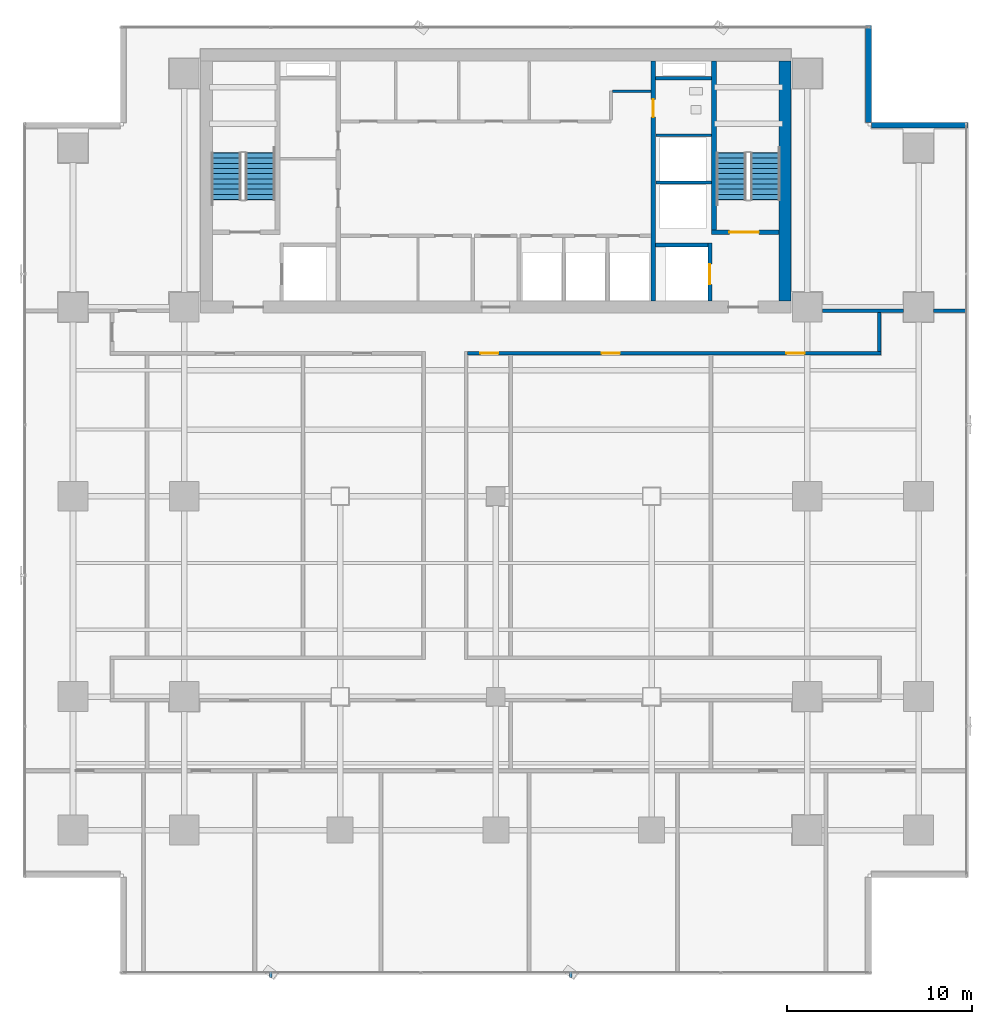
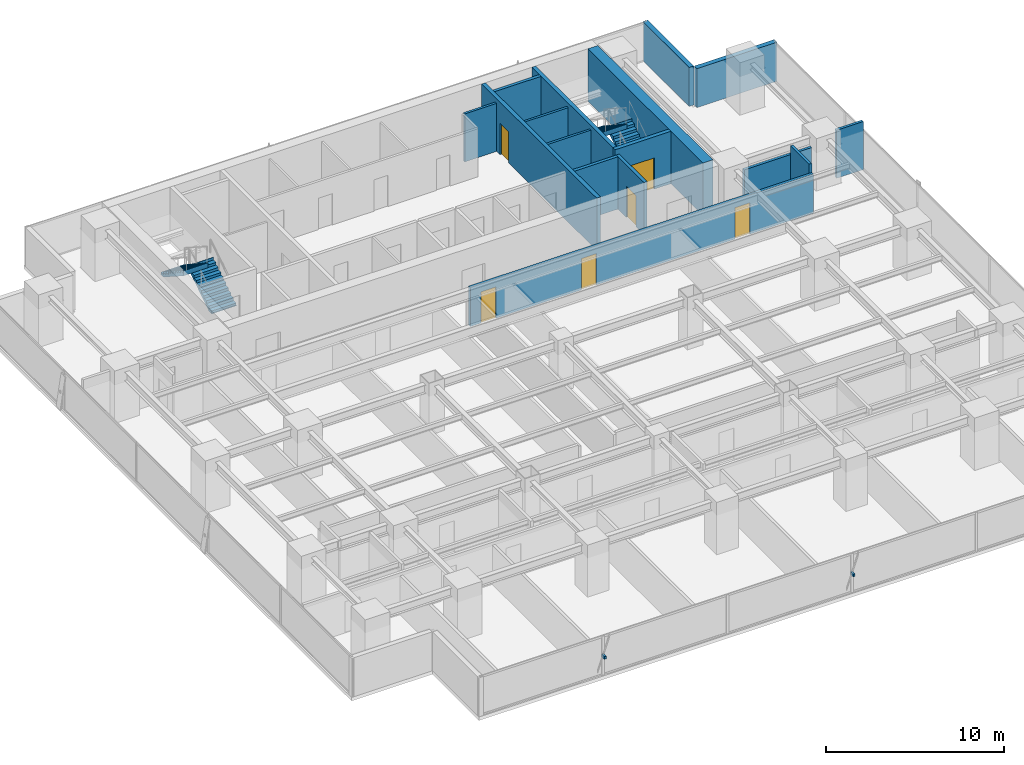
# One storey, part 30 of 36: 16 walls, 6 doors, 4 stair flights, 2 discrete accessories, 6 openings, 2 elements without a shape of their own.
"""IFC4 building model written with IfcOpenShell, lengths in metres."""

import ifcopenshell
import ifcopenshell.guid

model = None  # the IFC model being written
_history = None  # IfcOwnerHistory: only IFC2X3 demands one
_inside = {}  # id of a spatial element -> (the spatial element, [elements in it])
_under = {}  # id of a project, library or spatial element -> (it, [spatial elements below it])
_declared = {}  # id of a project -> (the project, [libraries it declares])
_typed = {}  # id of a type object -> (the type object, [elements of that type])
_made_of = {}  # id of a material, layer set ... -> (it, [elements and type objects made of it])


def new_model(schema):
    """Start an empty IFC model of exactly this schema.

    Asked for "IFC4X3", IfcOpenShell would pick the latest addendum, in which some entities
    have other attributes; the version numbers below select the first issue.
    IFC2X3 requires an IfcOwnerHistory on every rooted entity: one is made here for all.
    """
    global model, _history
    if schema == "IFC4X3":
        model = ifcopenshell.file(schema_version=(4, 3, 0, 0))
    else:
        model = ifcopenshell.file(schema=schema)
    _inside.clear()
    _under.clear()
    _declared.clear()
    _typed.clear()
    _made_of.clear()
    _history = None
    if model.schema == "IFC2X3":
        org = make("IfcOrganization", Name="unknown")
        user = make(
            "IfcPersonAndOrganization",
            ThePerson=make("IfcPerson", FamilyName="unknown"),
            TheOrganization=org,
        )
        app = make(
            "IfcApplication",
            ApplicationDeveloper=org,
            Version="unknown",
            ApplicationFullName="unknown",
            ApplicationIdentifier="unknown",
        )
        _history = make(
            "IfcOwnerHistory",
            OwningUser=user,
            OwningApplication=app,
            ChangeAction="ADDED",
            CreationDate=0,
        )
    return model


def make(cls, **values):
    """One entity of the class cls with the attributes given. An attribute that is None is left unset."""
    return model.create_entity(
        cls, **{name: value for name, value in values.items() if value is not None}
    )


def rooted(cls, **values):
    """An entity with a GlobalId (a new one), such as an element, a storey or a relation."""
    return make(cls, GlobalId=ifcopenshell.guid.new(), OwnerHistory=_history, **values)


def si_unit(unit_type, name, prefix=None):
    """IfcSIUnit, for example si_unit("LENGTHUNIT", "METRE", prefix="MILLI")."""
    return make("IfcSIUnit", UnitType=unit_type, Prefix=prefix, Name=name)


def assignment(units):
    """IfcUnitAssignment: the units of a project."""
    return None if units is None else make("IfcUnitAssignment", Units=units)


def point(xyz):
    """IfcCartesianPoint."""
    return None if xyz is None else make("IfcCartesianPoint", Coordinates=xyz)


def direction(xyz):
    """IfcDirection."""
    return None if xyz is None else make("IfcDirection", DirectionRatios=xyz)


def frame(location, z_axis=None, x_axis=None):
    """IfcAxis2Placement3D, a coordinate frame: its origin and axes. An axis left out is left unset."""
    return make(
        "IfcAxis2Placement3D",
        Location=point(location),
        Axis=direction(z_axis),
        RefDirection=direction(x_axis),
    )


def frame_2d(location, x_axis=None):
    """IfcAxis2Placement2D, a coordinate frame in the plane: its origin and x axis."""
    return make(
        "IfcAxis2Placement2D", Location=point(location), RefDirection=direction(x_axis)
    )


def origin():
    """The frame at (0, 0, 0) with its axes left unset."""
    return frame((0.0, 0.0, 0.0))


def origin_2d():
    """The frame at (0, 0) in the plane with its x axis left unset."""
    return frame_2d((0.0, 0.0))


def place(relative_to, where):
    """IfcLocalPlacement: puts the frame where relative to a parent placement (None: the world)."""
    return make(
        "IfcLocalPlacement", PlacementRelTo=relative_to, RelativePlacement=where
    )


def context(
    kind, dimensions, precision=None, world=None, true_north=None, identifier=None
):
    """IfcGeometricRepresentationContext, for example the 3D "Model" context."""
    return make(
        "IfcGeometricRepresentationContext",
        ContextIdentifier=identifier,
        ContextType=kind,
        CoordinateSpaceDimension=dimensions,
        Precision=precision,
        WorldCoordinateSystem=world,
        TrueNorth=true_north,
    )


def subcontext(parent, identifier, kind, view, scale=None):
    """IfcGeometricRepresentationSubContext, for example "Body" below "Model"."""
    return make(
        "IfcGeometricRepresentationSubContext",
        ContextIdentifier=identifier,
        ContextType=kind,
        ParentContext=parent,
        TargetScale=scale,
        TargetView=view,
    )


def project(units=None, contexts=None):
    """IfcProject with its units and contexts."""
    return rooted(
        "IfcProject",
        Name="project",
        RepresentationContexts=contexts,
        UnitsInContext=assignment(units),
    )


def spatial(cls, under=None, at=None, **own):
    """A site, building, storey or space (cls), placed at a placement, below another one or the project."""
    s = rooted(cls, ObjectPlacement=at, **own)
    if under is not None:
        _under.setdefault(under.id(), (under, []))[1].append(s)
    return s


def polyline(points):
    """IfcPolyline through the points."""
    return make("IfcPolyline", Points=[point(p) for p in points])


def profile(cls, at=None, kind="AREA", **sizes):
    """A parametric profile (cls). Its sizes go by their IFC names, for example OverallWidth=200.0."""
    return make(cls, ProfileType=kind, Position=at, **sizes)


def rectangle(**sizes):
    """IfcRectangleProfileDef."""
    return profile("IfcRectangleProfileDef", **sizes)


def outline(outer, holes=None, kind="AREA"):
    """IfcArbitraryClosedProfileDef: a profile drawn as a closed curve; with holes, ...WithVoids."""
    if holes is None:
        return make("IfcArbitraryClosedProfileDef", ProfileType=kind, OuterCurve=outer)
    return make(
        "IfcArbitraryProfileDefWithVoids",
        ProfileType=kind,
        OuterCurve=outer,
        InnerCurves=holes,
    )


def extrude(swept, where, along, depth):
    """IfcExtrudedAreaSolid: the profile swept, set in the frame where, extruded along a direction by depth."""
    return make(
        "IfcExtrudedAreaSolid",
        SweptArea=swept,
        Position=where,
        ExtrudedDirection=direction(along),
        Depth=depth,
    )


def shape(context_of_items, identifier, shape_type, items):
    """IfcShapeRepresentation: the items that make up one representation, for example the "Body"."""
    return make(
        "IfcShapeRepresentation",
        ContextOfItems=context_of_items,
        RepresentationIdentifier=identifier,
        RepresentationType=shape_type,
        Items=items,
    )


def source(mapping_origin, context_of_items, identifier, shape_type, items):
    """IfcRepresentationMap: a shape defined once, which mapped items show again and again."""
    return make(
        "IfcRepresentationMap",
        MappingOrigin=mapping_origin,
        MappedRepresentation=shape(context_of_items, identifier, shape_type, items),
    )


def transform(
    local_origin,
    x_axis=None,
    y_axis=None,
    z_axis=None,
    scale=None,
    scale2=None,
    scale3=None,
    uniform=True,
):
    """IfcCartesianTransformationOperator3D, or its non-uniform kind. x_axis, y_axis, z_axis: its Axis1, 2, 3."""
    if uniform:
        return make(
            "IfcCartesianTransformationOperator3D",
            Axis1=direction(x_axis),
            Axis2=direction(y_axis),
            LocalOrigin=point(local_origin),
            Scale=scale,
            Axis3=direction(z_axis),
        )
    return make(
        "IfcCartesianTransformationOperator3DnonUniform",
        Axis1=direction(x_axis),
        Axis2=direction(y_axis),
        LocalOrigin=point(local_origin),
        Scale=scale,
        Axis3=direction(z_axis),
        Scale2=scale2,
        Scale3=scale3,
    )


def mapped(mapping_source, mapping_target):
    """IfcMappedItem: shows the shape of a source again, moved by a transform."""
    return make(
        "IfcMappedItem", MappingSource=mapping_source, MappingTarget=mapping_target
    )


def material(Name=None, Category=None):
    """IfcMaterial."""
    return make("IfcMaterial", Name=Name, Category=Category)


def layer(
    of_material, thickness, ventilated=None, Name=None, Category=None, Priority=None
):
    """IfcMaterialLayer: one layer of a wall or slab, of a material (None: an air gap)."""
    return make(
        "IfcMaterialLayer",
        Material=of_material,
        LayerThickness=thickness,
        IsVentilated=ventilated,
        Name=Name,
        Category=Category,
        Priority=Priority,
    )


def layer_set(layers, Name=None):
    """IfcMaterialLayerSet."""
    return make("IfcMaterialLayerSet", MaterialLayers=layers, LayerSetName=Name)


def material_profile(
    of_material, cross_section, Name=None, Category=None, Priority=None
):
    """IfcMaterialProfile: a cross section and its material."""
    return make(
        "IfcMaterialProfile",
        Name=Name,
        Material=of_material,
        Profile=cross_section,
        Priority=Priority,
        Category=Category,
    )


def profile_set(profiles, Name=None, composite=None):
    """IfcMaterialProfileSet."""
    return make(
        "IfcMaterialProfileSet",
        Name=Name,
        MaterialProfiles=profiles,
        CompositeProfile=composite,
    )


def made_of(thing, what):
    """Note that an element or type object is made of a material, layer set ...; save() writes the relation."""
    if what is not None:
        _made_of.setdefault(what.id(), (what, []))[1].append(thing)
    return thing


def type_object(cls, material=None, **own):
    """A type object (cls), such as IfcWallType, which elements share."""
    return made_of(rooted(cls, **own), material)


def element(
    cls,
    number,
    at=None,
    inside=None,
    cuts=None,
    type_object=None,
    material=None,
    context=None,
    identifier="Body",
    shape_type=None,
    held_by="IfcProductDefinitionShape",
    body=None,
    shapes=None,
    **own,
):
    """One element of the class cls, such as IfcWall. Its Tag is "e" and its number.

    at: its placement. inside: the storey or other place that contains it. cuts: it is an
    opening in that element (IfcRelVoidsElement). A single representation is given by context,
    identifier, shape_type and body (its items); several are given by shapes. held_by: the class
    of the entity that holds the representations. save() writes the other relations.
    """
    e = rooted(cls, Tag="e%d" % number, ObjectPlacement=at, **own)
    if body is not None:
        shapes = [shape(context, identifier, shape_type, body)]
    if shapes is not None:
        e.Representation = make(held_by, Representations=shapes)
    if inside is not None:
        _inside.setdefault(inside.id(), (inside, []))[1].append(e)
    if cuts is not None:
        rooted(
            "IfcRelVoidsElement", RelatingBuildingElement=cuts, RelatedOpeningElement=e
        )
    if type_object is not None:
        _typed.setdefault(type_object.id(), (type_object, []))[1].append(e)
    return made_of(e, material)


def fill(opening, filler):
    """IfcRelFillsElement: the door or window that sits in an opening."""
    return rooted(
        "IfcRelFillsElement",
        RelatingOpeningElement=opening,
        RelatedBuildingElement=filler,
    )


def aggregate(whole, parts):
    """IfcRelAggregates: a whole, such as a stair, and the parts it consists of."""
    return rooted("IfcRelAggregates", RelatingObject=whole, RelatedObjects=parts)


def save(model, path):
    """Write the relations noted so far, then the file.

    IfcRelAggregates (storeys below a building ...), IfcRelContainedInSpatialStructure (elements
    in a storey), IfcRelDefinesByType, IfcRelAssociatesMaterial and IfcRelDeclares: one each for
    every whole, place, type object, material and project.
    """
    for whole, parts in _under.values():
        aggregate(whole, parts)
    for where, things in _inside.values():
        rooted(
            "IfcRelContainedInSpatialStructure",
            RelatedElements=things,
            RelatingStructure=where,
        )
    for kind, things in _typed.values():
        rooted("IfcRelDefinesByType", RelatedObjects=things, RelatingType=kind)
    for what, things in _made_of.values():
        rooted("IfcRelAssociatesMaterial", RelatedObjects=things, RelatingMaterial=what)
    for by, libraries in _declared.values():
        rooted("IfcRelDeclares", RelatingContext=by, RelatedDefinitions=libraries)
    model.write(path)


model = new_model("IFC4")

# Units and contexts
model_context = context("Model", 3, precision=1e-05, world=origin(), true_north=direction((0.0, 1.0)))
body_context = subcontext(model_context, "Body", "Model", "MODEL_VIEW")
ifc_project = project(units=[si_unit("LENGTHUNIT", "METRE"), si_unit("AREAUNIT", "SQUARE_METRE"), si_unit("VOLUMEUNIT", "CUBIC_METRE"), si_unit("PLANEANGLEUNIT", "RADIAN"), si_unit("MASSUNIT", "GRAM", prefix="KILO")], contexts=[model_context])

# Site, building, storey
site_placement = place(None, origin())
site = spatial("IfcSite", under=ifc_project, at=site_placement, CompositionType="ELEMENT")
building_placement = place(site_placement, origin())
building = spatial("IfcBuilding", under=site, at=building_placement, Name="Sumidabori Civic Tower", CompositionType="ELEMENT")
storey_placement = place(building_placement, frame((0.0, 0.0, 120.800048828125)))
storey = spatial("IfcBuildingStorey", under=building, at=storey_placement, Name="L31", CompositionType="ELEMENT", Elevation=120.800048828125)

# Walls
ifc_material_1 = material(Name="Concrete C50/60", Category="concrete")
ifc_layer_1 = layer(ifc_material_1, 0.199951171875, Name="Concrete C50/60")
ifc_layer_set_1 = layer_set([ifc_layer_1], Name="Concrete C50/60")
wall_type_1 = type_object("IfcWallType", Name="WL-SHAFT-200", PredefinedType="SHEAR", material=ifc_layer_set_1)
shared_shape_1 = source(origin(), body_context, "Body", "SweptSolid", [
    extrude(rectangle(XDim=2.824951171875, YDim=0.199951171875, at=frame_2d((1.41259765625, 0.0))), origin(), (0.0, 0.0, 1.0), 3.599853515625),
])
wall_1_placement = place(storey_placement, frame((8.625, 13.550048828125, 0.0), z_axis=(0.0, 0.0, 1.0), x_axis=(1.0, 0.0, 0.0)))
element("IfcWall", 1, at=wall_1_placement, inside=storey, type_object=wall_type_1, Name="Core Shear Wall L31 EL2-N", PredefinedType="SHEAR", context=body_context, shape_type="MappedRepresentation", body=[
    mapped(shared_shape_1, transform((0.0, 0.0, 0.0), x_axis=(1.0, 0.0, 0.0), y_axis=(0.0, 1.0, 0.0), z_axis=(0.0, 0.0, 1.0), scale=1.0)),
])
shared_shape_2 = source(origin(), body_context, "Body", "SweptSolid", [
    extrude(rectangle(XDim=3.02001953125, YDim=0.199951171875, at=frame_2d((1.510009765625, 0.0))), origin(), (0.0, 0.0, 1.0), 3.599853515625),
])
wall_2_placement = place(storey_placement, frame((8.625, 22.550048828125, 0.0), z_axis=(0.0, 0.0, 1.0), x_axis=(1.0, 0.0, 0.0)))
element("IfcWall", 2, at=wall_2_placement, inside=storey, type_object=wall_type_1, Name="Core Shear Wall L31 RIS2-S", PredefinedType="SHEAR", context=body_context, shape_type="MappedRepresentation", body=[
    mapped(shared_shape_2, transform((0.0, 0.0, 0.0), x_axis=(1.0, 0.0, 0.0), y_axis=(0.0, 1.0, 0.0), z_axis=(0.0, 0.0, 1.0), scale=1.0)),
])
ifc_material_2 = material(Name="Concrete C60/75", Category="concrete")
ifc_layer_2 = layer(ifc_material_2, 0.64990234375, Name="Concrete C60/75")
ifc_layer_set_2 = layer_set([ifc_layer_2], Name="Concrete C60/75")
wall_type_2 = type_object("IfcWallType", Name="WL-CORE-650", PredefinedType="SHEAR", material=ifc_layer_set_2)
shared_shape_3 = source(origin(), body_context, "Body", "SweptSolid", [
    extrude(rectangle(XDim=12.9501953125, YDim=0.64990234375, at=frame_2d((6.47509765625, 0.0))), origin(), (0.0, 0.0, 1.0), 3.599853515625),
])
wall_3_placement = place(storey_placement, frame((15.60009765625, 10.52490234375, 0.0), z_axis=(0.0, 0.0, 1.0), x_axis=(0.0, 1.0, 0.0)))
element("IfcWall", 3, at=wall_3_placement, inside=storey, type_object=wall_type_2, Name="Core Shear Wall L31 E", PredefinedType="SHEAR", context=body_context, shape_type="MappedRepresentation", body=[
    mapped(shared_shape_3, transform((0.0, 0.0, 0.0), x_axis=(1.0, 0.0, 0.0), y_axis=(0.0, 1.0, 0.0), z_axis=(0.0, 0.0, 1.0), scale=1.0)),
])

# Wall, opening, door
ifc_layer_3 = layer(ifc_material_1, 0.25, Name="Concrete C50/60")
ifc_layer_set_3 = layer_set([ifc_layer_3], Name="Concrete C50/60")
wall_type_3 = type_object("IfcWallType", Name="WL-SHAFT-250", PredefinedType="SHEAR", material=ifc_layer_set_3)
shared_shape_4 = source(origin(), body_context, "Body", "SweptSolid", [
    extrude(rectangle(XDim=12.9501953125, YDim=0.25, at=frame_2d((6.47509765625, 0.0))), origin(), (0.0, 0.0, 1.0), 3.599853515625),
])
wall_4_placement = place(storey_placement, frame((8.5, 10.52490234375, 0.0), z_axis=(0.0, 0.0, 1.0), x_axis=(0.0, 1.0, 0.0)))
wall_4 = element("IfcWall", 4, at=wall_4_placement, inside=storey, type_object=wall_type_3, Name="Core Shear Wall L31 WEB-E", PredefinedType="SHEAR", context=body_context, shape_type="MappedRepresentation", body=[
    mapped(shared_shape_4, transform((0.0, 0.0, 0.0), x_axis=(1.0, 0.0, 0.0), y_axis=(0.0, 1.0, 0.0), z_axis=(0.0, 0.0, 1.0), scale=1.0)),
])
opening_1_placement = place(wall_4_placement, frame((9.925048828125, 0.0, 0.0)))
opening_1 = element("IfcOpeningElement", 5, at=opening_1_placement, cuts=wall_4, Name="Opening DR-2", PredefinedType="OPENING", context=body_context, shape_type="SweptSolid", body=[
    extrude(rectangle(XDim=0.949951171875, YDim=2.14990234375, at=frame_2d((0.47509765625, 1.074951171875))), frame((0.0, 0.136962890625, 0.0), z_axis=(0.0, -1.0, 0.0), x_axis=(1.0, 0.0, 0.0)), (0.0, 0.0, 1.0), 0.27392578125),
])
ifc_material_3 = material(Name="Japanese Hinoki Timber", Category="wood")
door_type_1 = type_object("IfcDoorType", Name="DR-INT-950", OperationType="NOTDEFINED", PredefinedType="DOOR", material=ifc_material_3)
shared_shape_5 = source(origin(), body_context, "Body", "SweptSolid", [
    extrude(rectangle(XDim=0.949951171875, YDim=2.14990234375, at=frame_2d((0.47509765625, 1.074951171875))), frame((0.0, 0.02490234375, 0.0), z_axis=(0.0, -1.0, 0.0), x_axis=(1.0, 0.0, 0.0)), (0.0, 0.0, 1.0), 0.050048828125),
])
door_1_placement = place(opening_1_placement, origin())
door_1 = element("IfcDoor", 6, at=door_1_placement, inside=storey, type_object=door_type_1, Name="Door DR:L31:WC-ACC", OperationType="SINGLE_SWING_RIGHT", OverallHeight=2.14990234375, OverallWidth=0.949951171875, PredefinedType="DOOR", context=body_context, shape_type="MappedRepresentation", body=[
    mapped(shared_shape_5, transform((0.0, 0.0, 0.0), x_axis=(1.0, 0.0, 0.0), y_axis=(0.0, 1.0, 0.0), z_axis=(0.0, 0.0, 1.0), scale=1.0)),
])
fill(opening_1, door_1)

shared_shape_6 = source(origin(), body_context, "Body", "SweptSolid", [
    extrude(rectangle(XDim=3.6298828125, YDim=0.25, at=frame_2d((1.81494140625, 0.0))), origin(), (0.0, 0.0, 1.0), 3.599853515625),
])
wall_5_placement = place(storey_placement, frame((11.64501953125, 14.25, 0.0), z_axis=(0.0, 0.0, 1.0), x_axis=(1.0, 0.0, 0.0)))
wall_5 = element("IfcWall", 7, at=wall_5_placement, inside=storey, type_object=wall_type_3, Name="Core Shear Wall L31 ST2-S", PredefinedType="SHEAR", context=body_context, shape_type="MappedRepresentation", body=[
    mapped(shared_shape_6, transform((0.0, 0.0, 0.0), x_axis=(1.0, 0.0, 0.0), y_axis=(0.0, 1.0, 0.0), z_axis=(0.0, 0.0, 1.0), scale=1.0)),
])
opening_2_placement = place(wall_5_placement, frame((0.949951171875, 0.0, 0.0)))
opening_2 = element("IfcOpeningElement", 8, at=opening_2_placement, cuts=wall_5, Name="Opening DR-FD4", PredefinedType="OPENING", context=body_context, shape_type="SweptSolid", body=[
    extrude(rectangle(XDim=1.60009765625, YDim=2.14990234375, at=frame_2d((0.800048828125, 1.074951171875))), frame((0.0, 0.136962890625, 0.0), z_axis=(0.0, -1.0, 0.0), x_axis=(1.0, 0.0, 0.0)), (0.0, 0.0, 1.0), 0.27392578125),
])
ifc_material_4 = material(Name="Steel SN490", Category="steel")
door_type_2 = type_object("IfcDoorType", Name="DR-FD4", OperationType="DOUBLE_DOOR_SINGLE_SWING", PredefinedType="DOOR", material=ifc_material_4)
shared_shape_7 = source(origin(), body_context, "Body", "SweptSolid", [
    extrude(rectangle(XDim=1.60009765625, YDim=2.14990234375, at=frame_2d((0.800048828125, 1.074951171875))), frame((0.0, 0.02490234375, 0.0), z_axis=(0.0, -1.0, 0.0), x_axis=(1.0, 0.0, 0.0)), (0.0, 0.0, 1.0), 0.050048828125),
])
door_2_placement = place(opening_2_placement, origin())
door_2 = element("IfcDoor", 9, at=door_2_placement, inside=storey, type_object=door_type_2, Name="Door DR:L31:ST2", OperationType="DOUBLE_DOOR_SINGLE_SWING", OverallHeight=2.14990234375, OverallWidth=1.60009765625, PredefinedType="DOOR", context=body_context, shape_type="MappedRepresentation", body=[
    mapped(shared_shape_7, transform((0.0, 0.0, 0.0), x_axis=(1.0, 0.0, 0.0), y_axis=(0.0, 1.0, 0.0), z_axis=(0.0, 0.0, 1.0), scale=1.0)),
])
fill(opening_2, door_2)

# Wall
shared_shape_8 = source(origin(), body_context, "Body", "SweptSolid", [
    extrude(rectangle(XDim=9.10009765625, YDim=0.25, at=frame_2d((4.550048828125, 0.0))), origin(), (0.0, 0.0, 1.0), 3.599853515625),
])
wall_6_placement = place(storey_placement, frame((11.77001953125, 14.375, 0.0), z_axis=(0.0, 0.0, 1.0), x_axis=(0.0, 1.0, 0.0)))
element("IfcWall", 10, at=wall_6_placement, inside=storey, type_object=wall_type_3, Name="Core Shear Wall L31 ST2-W", PredefinedType="SHEAR", context=body_context, shape_type="MappedRepresentation", body=[
    mapped(shared_shape_8, transform((0.0, 0.0, 0.0), x_axis=(1.0, 0.0, 0.0), y_axis=(0.0, 1.0, 0.0), z_axis=(0.0, 0.0, 1.0), scale=1.0)),
])

# Wall, opening, door
shared_shape_9 = source(origin(), body_context, "Body", "SweptSolid", [
    extrude(rectangle(XDim=3.125, YDim=0.199951171875, at=frame_2d((1.5625, 0.0))), origin(), (0.0, 0.0, 1.0), 3.599853515625),
])
wall_7_placement = place(storey_placement, frame((11.550048828125, 10.52490234375, 0.0), z_axis=(0.0, 0.0, 1.0), x_axis=(0.0, 1.0, 0.0)))
wall_7 = element("IfcWall", 11, at=wall_7_placement, inside=storey, type_object=wall_type_1, Name="Core Shear Wall L31 EL2-E", PredefinedType="SHEAR", context=body_context, shape_type="MappedRepresentation", body=[
    mapped(shared_shape_9, transform((0.0, 0.0, 0.0), x_axis=(1.0, 0.0, 0.0), y_axis=(0.0, 1.0, 0.0), z_axis=(0.0, 0.0, 1.0), scale=1.0)),
])
opening_3_placement = place(wall_7_placement, frame((0.89990234375, 0.0, 0.0)))
opening_3 = element("IfcOpeningElement", 12, at=opening_3_placement, cuts=wall_7, Name="Opening LD-2", PredefinedType="OPENING", context=body_context, shape_type="SweptSolid", body=[
    extrude(rectangle(XDim=1.10009765625, YDim=2.14990234375, at=frame_2d((0.550048828125, 1.074951171875))), frame((0.0, 0.11181640625, 0.0), z_axis=(0.0, -1.0, 0.0), x_axis=(1.0, 0.0, 0.0)), (0.0, 0.0, 1.0), 0.223876953125),
])
ifc_material_5 = material(Name="Stainless Steel Hairline Finish", Category="steel")
door_type_3 = type_object("IfcDoorType", Name="DR-LD2", OperationType="DOUBLE_DOOR_SLIDING", PredefinedType="DOOR", material=ifc_material_5)
shared_shape_10 = source(origin(), body_context, "Body", "SweptSolid", [
    extrude(rectangle(XDim=1.10009765625, YDim=2.14990234375, at=frame_2d((0.550048828125, 1.074951171875))), frame((0.0, 0.02490234375, 0.0), z_axis=(0.0, -1.0, 0.0), x_axis=(1.0, 0.0, 0.0)), (0.0, 0.0, 1.0), 0.050048828125),
])
door_3_placement = place(opening_3_placement, origin())
door_3 = element("IfcDoor", 13, at=door_3_placement, inside=storey, type_object=door_type_3, Name="Door DR:L31:LD-EL2", OperationType="DOUBLE_DOOR_SLIDING", OverallHeight=2.14990234375, OverallWidth=1.10009765625, PredefinedType="DOOR", context=body_context, shape_type="MappedRepresentation", body=[
    mapped(shared_shape_10, transform((0.0, 0.0, 0.0), x_axis=(1.0, 0.0, 0.0), y_axis=(0.0, 1.0, 0.0), z_axis=(0.0, 0.0, 1.0), scale=1.0)),
])
fill(opening_3, door_3)

# Walls
ifc_material_6 = material(Name="Precast concrete C40/50", Category="concrete")
ifc_layer_4 = layer(ifc_material_6, 0.300048828125, Name="Precast concrete C40/50")
ifc_layer_set_4 = layer_set([ifc_layer_4], Name="Precast concrete C40/50")
wall_type_4 = type_object("IfcWallType", Name="WL-EXT-POD300", PredefinedType="STANDARD", material=ifc_layer_set_4)
shared_shape_11 = source(origin(), body_context, "Body", "SweptSolid", [
    extrude(rectangle(XDim=5.2099609375, YDim=0.300048828125, at=frame_2d((2.60498046875, 0.0))), origin(), (0.0, 0.0, 1.0), 2.679931640625),
])
for number, where, z_axis, x_axis, name in (
    (14, (25.47998046875, 20.0, 0.0), (0.0, 0.0, 1.0), (-1.0, 0.0, 0.0), "Notched Corner Spandrel Band L31-05"),
    (15, (20.10009765625, 20.169921875, 0.0), (0.0, 0.0, 1.0), (0.0, 1.0, 0.0), "Notched Corner Spandrel Band L31-06"),
):
    element("IfcWall", number, at=place(storey_placement, frame(where, z_axis=z_axis, x_axis=x_axis)), inside=storey, type_object=wall_type_4, Name=name, PredefinedType="STANDARD", context=body_context, shape_type="MappedRepresentation", body=[
        mapped(shared_shape_11, transform((0.0, 0.0, 0.0), x_axis=(1.0, 0.0, 0.0), y_axis=(0.0, 1.0, 0.0), z_axis=(0.0, 0.0, 1.0), scale=1.0)),
    ])
ifc_material_7 = material(Name="Gypsum Plasterboard Acoustic Partition")
ifc_layer_5 = layer(ifc_material_7, 0.14990234375, Name="Gypsum Plasterboard Acoustic Partition")
ifc_layer_set_5 = layer_set([ifc_layer_5], Name="Gypsum Plasterboard Acoustic Partition")
wall_type_5 = type_object("IfcWallType", Name="WL-PART-150", PredefinedType="PARTITIONING", material=ifc_layer_set_5)
shared_shape_12 = source(origin(), body_context, "Body", "SweptSolid", [
    extrude(rectangle(XDim=3.010009765625, YDim=0.14990234375, at=frame_2d((1.5048828125, 0.0))), origin(), (0.0, 0.0, 1.0), 3.300048828125),
])
for number, where, z_axis, x_axis, name in (
    (16, (8.6298828125, 16.919921875, 0.0), (0.0, 0.0, 1.0), (1.0, 0.0, 0.0), "Interior Partition WL:L31:DIV-OBS1"),
    (17, (8.6298828125, 19.469970703125, 0.0), (0.0, 0.0, 1.0), (1.0, 0.0, 0.0), "Interior Partition WL:L31:DIV-OBS2"),
):
    element("IfcWall", number, at=place(storey_placement, frame(where, z_axis=z_axis, x_axis=x_axis)), inside=storey, type_object=wall_type_5, Name=name, PredefinedType="PARTITIONING", context=body_context, shape_type="MappedRepresentation", body=[
        mapped(shared_shape_12, transform((0.0, 0.0, 0.0), x_axis=(1.0, 0.0, 0.0), y_axis=(0.0, 1.0, 0.0), z_axis=(0.0, 0.0, 1.0), scale=1.0)),
    ])
shared_shape_13 = source(origin(), body_context, "Body", "SweptSolid", [
    extrude(rectangle(XDim=2.070068359375, YDim=0.14990234375, at=frame_2d((1.03515625, 0.0))), origin(), (0.0, 0.0, 1.0), 3.300048828125),
])
wall_8_placement = place(storey_placement, frame((6.300048828125, 21.85009765625, 0.0), z_axis=(0.0, 0.0, 1.0), x_axis=(1.0, 0.0, 0.0)))
element("IfcWall", 18, at=wall_8_placement, inside=storey, type_object=wall_type_5, Name="Interior Partition WL:L31:CBAND-ME2", PredefinedType="PARTITIONING", context=body_context, shape_type="MappedRepresentation", body=[
    mapped(shared_shape_13, transform((0.0, 0.0, 0.0), x_axis=(1.0, 0.0, 0.0), y_axis=(0.0, 1.0, 0.0), z_axis=(0.0, 0.0, 1.0), scale=1.0)),
])
ifc_layer_6 = layer(ifc_material_7, 0.179931640625, Name="Gypsum Plasterboard Acoustic Partition")
ifc_layer_set_6 = layer_set([ifc_layer_6], Name="Gypsum Plasterboard Acoustic Partition")
wall_type_6 = type_object("IfcWallType", Name="WL-PART-180", PredefinedType="PARTITIONING", material=ifc_layer_set_6)
shared_shape_14 = source(origin(), body_context, "Body", "SweptSolid", [
    extrude(rectangle(XDim=1.739990234375, YDim=0.179931640625, at=frame_2d((0.8701171875, 0.0))), origin(), (0.0, 0.0, 1.0), 3.300048828125),
])
wall_9_placement = place(storey_placement, frame((23.610107421875, 10.0, 0.0), z_axis=(0.0, 0.0, 1.0), x_axis=(1.0, 0.0, 0.0)))
element("IfcWall", 19, at=wall_9_placement, inside=storey, type_object=wall_type_6, Name="Interior Partition WL:L31:FLK-NE-2", PredefinedType="PARTITIONING", context=body_context, shape_type="MappedRepresentation", body=[
    mapped(shared_shape_14, transform((0.0, 0.0, 0.0), x_axis=(1.0, 0.0, 0.0), y_axis=(0.0, 1.0, 0.0), z_axis=(0.0, 0.0, 1.0), scale=1.0)),
])
shared_shape_15 = source(origin(), body_context, "Body", "SweptSolid", [
    extrude(rectangle(XDim=4.3798828125, YDim=0.179931640625, at=frame_2d((2.18994140625, 0.0))), origin(), (0.0, 0.0, 1.0), 2.68505859375),
])
wall_10_placement = place(storey_placement, frame((17.610107421875, 10.0, 0.0), z_axis=(0.0, 0.0, 1.0), x_axis=(1.0, 0.0, 0.0)))
element("IfcWall", 20, at=wall_10_placement, inside=storey, type_object=wall_type_6, Name="Interior Partition WL:L31:FLK-NE-1", PredefinedType="PARTITIONING", context=body_context, shape_type="MappedRepresentation", body=[
    mapped(shared_shape_15, transform((0.0, 0.0, 0.0), x_axis=(1.0, 0.0, 0.0), y_axis=(0.0, 1.0, 0.0), z_axis=(0.0, 0.0, 1.0), scale=1.0)),
])

# Wall, openings, doors
shared_shape_16 = source(origin(), body_context, "Body", "SweptSolid", [
    extrude(rectangle(XDim=22.300048828125, YDim=0.179931640625, at=frame_2d((11.14990234375, 0.0))), origin(), (0.0, 0.0, 1.0), 2.68505859375),
])
wall_11_placement = place(storey_placement, frame((-1.52001953125, 7.7099609375, 0.0), z_axis=(0.0, 0.0, 1.0), x_axis=(1.0, 0.0, 0.0)))
wall_11 = element("IfcWall", 21, at=wall_11_placement, inside=storey, type_object=wall_type_6, Name="Interior Partition WL:L31:CORR-SE", PredefinedType="PARTITIONING", context=body_context, shape_type="MappedRepresentation", body=[
    mapped(shared_shape_16, transform((0.0, 0.0, 0.0), x_axis=(1.0, 0.0, 0.0), y_axis=(0.0, 1.0, 0.0), z_axis=(0.0, 0.0, 1.0), scale=1.0)),
])
opening_4_placement = place(wall_11_placement, frame((0.68505859375, 0.0, 0.0)))
opening_4 = element("IfcOpeningElement", 22, at=opening_4_placement, cuts=wall_11, Name="Opening DR-3", PredefinedType="OPENING", context=body_context, shape_type="SweptSolid", body=[
    extrude(rectangle(XDim=0.97998046875, YDim=2.14990234375, at=frame_2d((0.489990234375, 1.074951171875))), frame((0.0, 0.10205078125, 0.0), z_axis=(0.0, -1.0, 0.0), x_axis=(1.0, 0.0, 0.0)), (0.0, 0.0, 1.0), 0.203857421875),
])
opening_5_placement = place(wall_11_placement, frame((7.22998046875, 0.0, 0.0)))
opening_5 = element("IfcOpeningElement", 23, at=opening_5_placement, cuts=wall_11, Name="Opening DR-3", PredefinedType="OPENING", context=body_context, shape_type="SweptSolid", body=[
    extrude(rectangle(XDim=0.97998046875, YDim=2.14990234375, at=frame_2d((0.489990234375, 1.074951171875))), frame((0.0, 0.10205078125, 0.0), z_axis=(0.0, -1.0, 0.0), x_axis=(1.0, 0.0, 0.0)), (0.0, 0.0, 1.0), 0.203857421875),
])
opening_6_placement = place(wall_11_placement, frame((17.195068359375, 0.0, 0.0)))
opening_6 = element("IfcOpeningElement", 24, at=opening_6_placement, cuts=wall_11, Name="Opening DR-3", PredefinedType="OPENING", context=body_context, shape_type="SweptSolid", body=[
    extrude(rectangle(XDim=0.97998046875, YDim=2.14990234375, at=frame_2d((0.489990234375, 1.074951171875))), frame((0.0, 0.10205078125, 0.0), z_axis=(0.0, -1.0, 0.0), x_axis=(1.0, 0.0, 0.0)), (0.0, 0.0, 1.0), 0.203857421875),
])
door_type_4 = type_object("IfcDoorType", Name="DR-INT-980", OperationType="NOTDEFINED", PredefinedType="DOOR", material=ifc_material_3)
shared_shape_17 = source(origin(), body_context, "Body", "SweptSolid", [
    extrude(rectangle(XDim=0.97998046875, YDim=2.14990234375, at=frame_2d((0.489990234375, 1.074951171875))), frame((0.0, 0.02490234375, 0.0), z_axis=(0.0, -1.0, 0.0), x_axis=(1.0, 0.0, 0.0)), (0.0, 0.0, 1.0), 0.050048828125),
])
door_4_placement = place(opening_4_placement, origin())
door_4 = element("IfcDoor", 25, at=door_4_placement, inside=storey, type_object=door_type_4, Name="Door DR:L31:D04", OperationType="SINGLE_SWING_RIGHT", OverallHeight=2.14990234375, OverallWidth=0.97998046875, PredefinedType="DOOR", context=body_context, shape_type="MappedRepresentation", body=[
    mapped(shared_shape_17, transform((0.0, 0.0, 0.0), x_axis=(1.0, 0.0, 0.0), y_axis=(0.0, 1.0, 0.0), z_axis=(0.0, 0.0, 1.0), scale=1.0)),
])
fill(opening_4, door_4)
door_5_placement = place(opening_5_placement, origin())
door_5 = element("IfcDoor", 26, at=door_5_placement, inside=storey, type_object=door_type_4, Name="Door DR:L31:D05", OperationType="SINGLE_SWING_LEFT", OverallHeight=2.14990234375, OverallWidth=0.97998046875, PredefinedType="DOOR", context=body_context, shape_type="MappedRepresentation", body=[
    mapped(shared_shape_17, transform((0.0, 0.0, 0.0), x_axis=(1.0, 0.0, 0.0), y_axis=(0.0, 1.0, 0.0), z_axis=(0.0, 0.0, 1.0), scale=1.0)),
])
fill(opening_5, door_5)
door_6_placement = place(opening_6_placement, origin())
door_6 = element("IfcDoor", 27, at=door_6_placement, inside=storey, type_object=door_type_4, Name="Door DR:L31:D07", OperationType="SINGLE_SWING_LEFT", OverallHeight=2.14990234375, OverallWidth=0.97998046875, PredefinedType="DOOR", context=body_context, shape_type="MappedRepresentation", body=[
    mapped(shared_shape_17, transform((0.0, 0.0, 0.0), x_axis=(1.0, 0.0, 0.0), y_axis=(0.0, 1.0, 0.0), z_axis=(0.0, 0.0, 1.0), scale=1.0)),
])
fill(opening_6, door_6)

# Wall
shared_shape_18 = source(origin(), body_context, "Body", "SweptSolid", [
    extrude(rectangle(XDim=2.10009765625, YDim=0.179931640625, at=frame_2d((1.050048828125, 0.0))), origin(), (0.0, 0.0, 1.0), 3.300048828125),
])
wall_12_placement = place(storey_placement, frame((20.68994140625, 7.804931640625, 0.0), z_axis=(0.0, 0.0, 1.0), x_axis=(0.0, 1.0, 0.0)))
element("IfcWall", 28, at=wall_12_placement, inside=storey, type_object=wall_type_6, Name="Interior Partition WL:L31:CORR-VNE", PredefinedType="PARTITIONING", context=body_context, shape_type="MappedRepresentation", body=[
    mapped(shared_shape_18, transform((0.0, 0.0, 0.0), x_axis=(1.0, 0.0, 0.0), y_axis=(0.0, 1.0, 0.0), z_axis=(0.0, 0.0, 1.0), scale=1.0)),
])

# Stair, stair flights
ifc_material_8 = material(Name="Concrete C40/50", Category="concrete")
stair_type = type_object("IfcStairType", Name="ST-CORE-1600", PredefinedType="HALF_TURN_STAIR", material=ifc_material_8)
stair_1_placement = place(storey_placement, origin())
stair_1 = element("IfcStair", 29, at=stair_1_placement, inside=storey, type_object=stair_type, Name="L31 ST-1", PredefinedType="HALF_TURN_STAIR")
stair_flight_type = type_object("IfcStairFlightType", Name="SF-CORE-1600", PredefinedType="STRAIGHT", material=ifc_material_8)
shared_shape_19 = source(origin(), body_context, "Body", "SweptSolid", [
    extrude(outline(polyline([(-0.02490234375, 0.0), (-0.02490234375, 0.0400390625), (0.0, 0.0400390625), (0.0, 0.179931640625), (0.280029296875, 0.179931640625), (0.280029296875, 0.360107421875), (0.56005859375, 0.360107421875), (0.56005859375, 0.5400390625), (0.840087890625, 0.5400390625), (0.840087890625, 0.719970703125), (1.1201171875, 0.719970703125), (1.1201171875, 0.89990234375), (1.39990234375, 0.89990234375), (1.39990234375, 1.080078125), (1.679931640625, 1.080078125), (1.679931640625, 1.260009765625), (1.9599609375, 1.260009765625), (1.9599609375, 1.43994140625), (2.239990234375, 1.43994140625), (2.239990234375, 1.6201171875), (2.52001953125, 1.6201171875), (2.52001953125, 1.800048828125), (2.544921875, 1.800048828125), (2.544921875, 1.650146484375), (2.52001953125, 1.44189453125), (0.277099609375, 0.0), (-0.02490234375, 0.0)])), frame((0.0, 0.800048828125, 0.0), z_axis=(0.0, -1.0, 0.0), x_axis=(1.0, 0.0, 0.0)), (0.0, 0.0, 1.0), 1.60009765625),
])
stair_flight_1_placement = place(storey_placement, frame((-12.699951171875, 16.0, 0.0), z_axis=(0.0, 0.0, 1.0), x_axis=(0.0, 1.0, 0.0)))
stair_flight_1 = element("IfcStairFlight", 30, at=stair_flight_1_placement, type_object=stair_flight_type, Name="ST-1 flight 1", NumberOfRisers=10, NumberOfTreads=9, PredefinedType="STRAIGHT", RiserHeight=0.18, TreadLength=0.28, context=body_context, shape_type="MappedRepresentation", body=[
    mapped(shared_shape_19, transform((0.0, 0.0, 0.0), x_axis=(1.0, 0.0, 0.0), y_axis=(0.0, 1.0, 0.0), z_axis=(0.0, 0.0, 1.0), scale=1.0)),
])
stair_flight_2_placement = place(storey_placement, frame((-14.5400390625, 18.52001953125, 1.800048828125), z_axis=(0.0, 0.0, 1.0), x_axis=(0.0, -1.0, 0.0)))
stair_flight_2 = element("IfcStairFlight", 31, at=stair_flight_2_placement, type_object=stair_flight_type, Name="ST-1 flight 2", NumberOfRisers=10, NumberOfTreads=9, PredefinedType="STRAIGHT", RiserHeight=0.18, TreadLength=0.28, context=body_context, shape_type="MappedRepresentation", body=[
    mapped(shared_shape_19, transform((0.0, 0.0, 0.0), x_axis=(1.0, 0.0, 0.0), y_axis=(0.0, 1.0, 0.0), z_axis=(0.0, 0.0, 1.0), scale=1.0)),
])
aggregate(stair_1, [stair_flight_1, stair_flight_2])

stair_2_placement = place(storey_placement, origin())
stair_2 = element("IfcStair", 32, at=stair_2_placement, inside=storey, type_object=stair_type, Name="L31 ST-2", PredefinedType="HALF_TURN_STAIR")
stair_flight_3_placement = place(storey_placement, frame((14.5400390625, 16.0, 0.0), z_axis=(0.0, 0.0, 1.0), x_axis=(0.0, 1.0, 0.0)))
stair_flight_3 = element("IfcStairFlight", 33, at=stair_flight_3_placement, type_object=stair_flight_type, Name="ST-2 flight 1", NumberOfRisers=10, NumberOfTreads=9, PredefinedType="STRAIGHT", RiserHeight=0.18, TreadLength=0.28, context=body_context, shape_type="MappedRepresentation", body=[
    mapped(shared_shape_19, transform((0.0, 0.0, 0.0), x_axis=(1.0, 0.0, 0.0), y_axis=(0.0, 1.0, 0.0), z_axis=(0.0, 0.0, 1.0), scale=1.0)),
])
stair_flight_4_placement = place(storey_placement, frame((12.699951171875, 18.52001953125, 1.800048828125), z_axis=(0.0, 0.0, 1.0), x_axis=(0.0, -1.0, 0.0)))
stair_flight_4 = element("IfcStairFlight", 34, at=stair_flight_4_placement, type_object=stair_flight_type, Name="ST-2 flight 2", NumberOfRisers=10, NumberOfTreads=9, PredefinedType="STRAIGHT", RiserHeight=0.18, TreadLength=0.28, context=body_context, shape_type="MappedRepresentation", body=[
    mapped(shared_shape_19, transform((0.0, 0.0, 0.0), x_axis=(1.0, 0.0, 0.0), y_axis=(0.0, 1.0, 0.0), z_axis=(0.0, 0.0, 1.0), scale=1.0)),
])
aggregate(stair_2, [stair_flight_3, stair_flight_4])

# Discrete accessories
ifc_material_profile = material_profile(ifc_material_5, rectangle(XDim=0.1201171875, YDim=0.179931640625, at=origin_2d()), Name="STEEL BRACKET 180x120")
ifc_profile_set = profile_set([ifc_material_profile], Name="Stainless Steel Hairline Finish")
discrete_accessory_type = type_object("IfcDiscreteAccessoryType", Name="AC-BRK-180", PredefinedType="BRACKET", material=ifc_profile_set)
shared_shape_20 = source(origin(), body_context, "Body", "SweptSolid", [
    extrude(rectangle(XDim=0.1201171875, YDim=0.179931640625, at=origin_2d()), origin(), (0.0, 0.0, 1.0), 0.330078125),
])
for number, where, z_axis, x_axis, name in (
    (35, (-12.132080078125, -25.6298828125, 1.329833984375), (0.0, -1.0, 0.0), (1.0, 0.0, 0.0), "Bronze Fin Fixing Bracket L31-01"),
    (36, (4.0439453125, -25.6298828125, 1.329833984375), (0.0, -1.0, 0.0), (1.0, 0.0, 0.0), "Bronze Fin Fixing Bracket L31-03"),
):
    element("IfcDiscreteAccessory", number, at=place(storey_placement, frame(where, z_axis=z_axis, x_axis=x_axis)), inside=storey, type_object=discrete_accessory_type, Name=name, PredefinedType="BRACKET", context=body_context, shape_type="MappedRepresentation", body=[
        mapped(shared_shape_20, transform((0.0, 0.0, 0.0), x_axis=(1.0, 0.0, 0.0), y_axis=(0.0, 1.0, 0.0), z_axis=(0.0, 0.0, 1.0), scale=1.0)),
    ])

save(model, "model.ifc")
